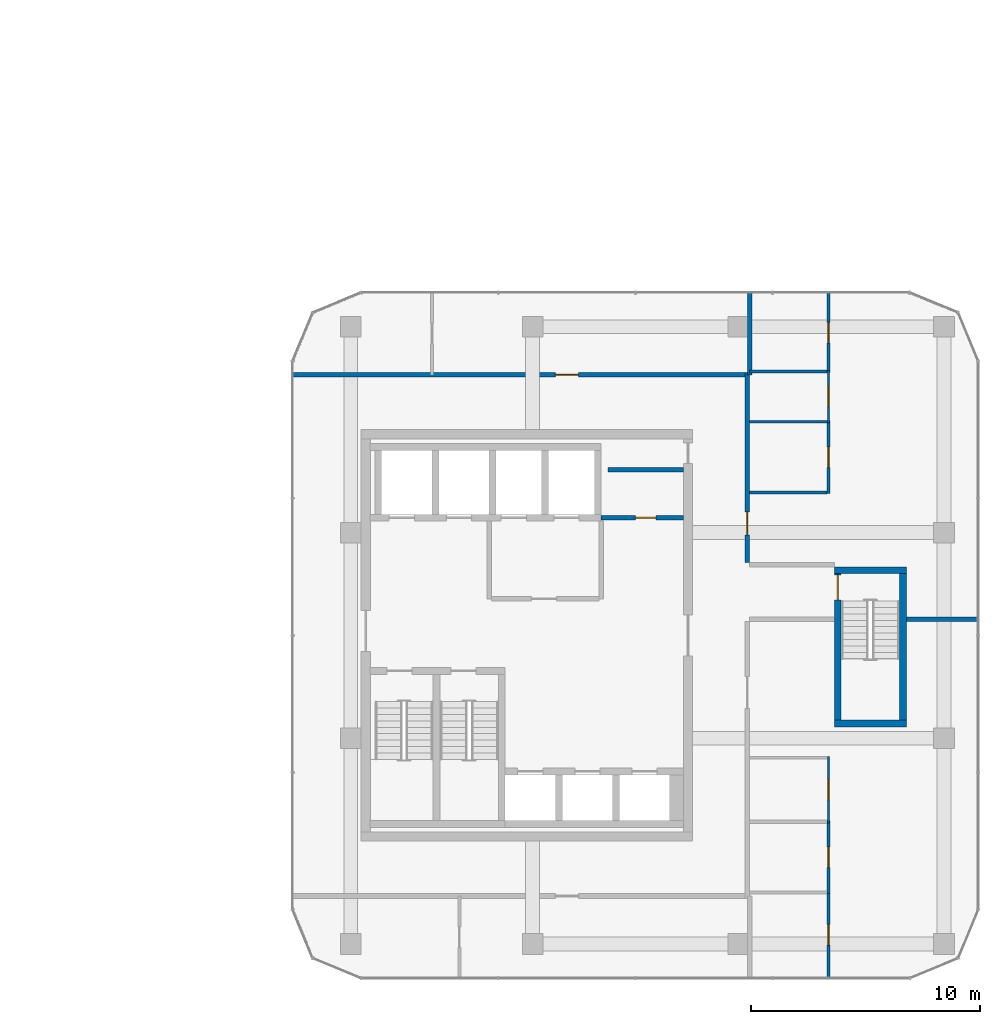
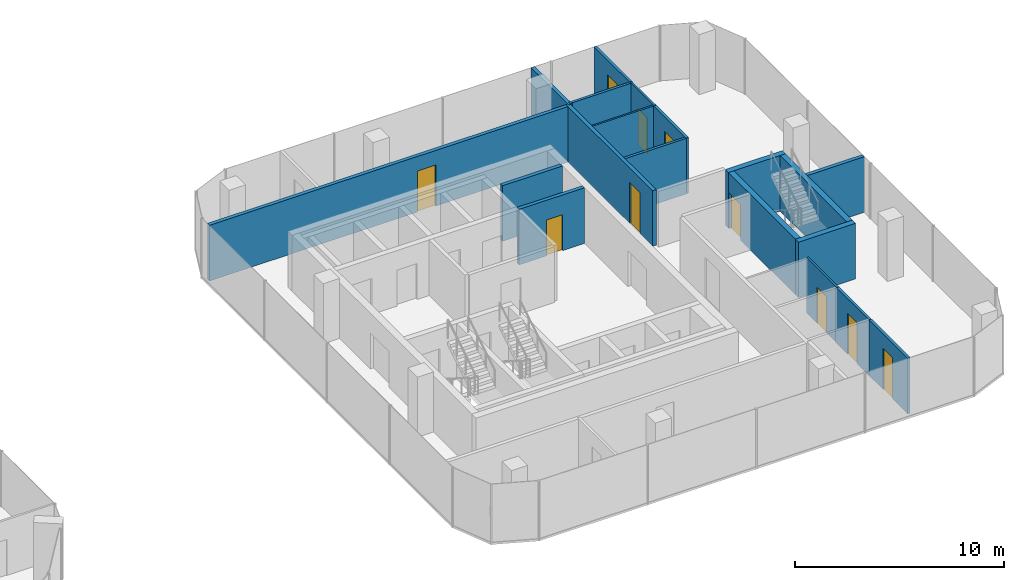
# One storey, part 18 of 22: 19 walls, 10 doors, 10 openings.
"""IFC4 building model written with IfcOpenShell, lengths in metres."""

from ifc_helpers import new_model, si_unit, direction, frame, frame_2d, origin, place, context, subcontext, project, spatial, rectangle, extrude, material, layer, layer_set, type_object, element, fill, save


model = new_model("IFC4")

# Units and contexts
model_context = context("Model", 3, precision=1e-05, world=origin(), true_north=direction((0.0, 1.0)))
body_context = subcontext(model_context, "Body", "Model", "MODEL_VIEW")
ifc_project = project(units=[si_unit("LENGTHUNIT", "METRE"), si_unit("AREAUNIT", "SQUARE_METRE"), si_unit("VOLUMEUNIT", "CUBIC_METRE"), si_unit("PLANEANGLEUNIT", "RADIAN"), si_unit("MASSUNIT", "GRAM", prefix="KILO")], contexts=[model_context])

# Site, building, storey
site_placement = place(None, origin())
site = spatial("IfcSite", under=ifc_project, at=site_placement, CompositionType="ELEMENT")
building_placement = place(site_placement, origin())
building = spatial("IfcBuilding", under=site, at=building_placement, Name="Plateau Cross Towers", CompositionType="ELEMENT")
storey_placement = place(building_placement, frame((0.0, 0.0, 99.300048828125)))
storey = spatial("IfcBuildingStorey", under=building, at=storey_placement, Name="L25", CompositionType="ELEMENT", Elevation=99.300048828125)

# Wall, opening, door
ifc_material_1 = material(Name="Concrete block, plastered both sides", Category="concrete")
ifc_layer_1 = layer(ifc_material_1, 0.199951171875)
ifc_layer_set_1 = layer_set([ifc_layer_1], Name="Concrete block, plastered both sides")
wall_type_1 = type_object("IfcWallType", Name="Core partition 200", PredefinedType="PARTITIONING", material=ifc_layer_set_1)
wall_1_placement = place(storey_placement, frame((85.5, 14.14990234375, 0.0), z_axis=(0.0, 0.0, 1.0), x_axis=(1.0, 0.0, 0.0)))
wall_1 = element("IfcWall", 1, at=wall_1_placement, inside=storey, type_object=wall_type_1, Name="Core partition", PredefinedType="PARTITIONING", context=body_context, shape_type="SweptSolid", body=[
    extrude(rectangle(XDim=3.60009765625, YDim=0.199951171875, at=frame_2d((1.800048828125, 0.0))), origin(), (0.0, 0.0, 1.0), 3.25),
])
opening_1_placement = place(wall_1_placement, frame((1.5, 0.0, 0.0)))
opening_1 = element("IfcOpeningElement", 2, at=opening_1_placement, cuts=wall_1, Name="Opening RD2", PredefinedType="OPENING", context=body_context, shape_type="SweptSolid", body=[
    extrude(rectangle(XDim=0.89990234375, YDim=2.10009765625, at=frame_2d((0.449951171875, 1.050048828125))), frame((0.0, 0.10986328125, 0.0), z_axis=(0.0, -1.0, 0.0), x_axis=(1.0, 0.0, 0.0)), (0.0, 0.0, 1.0), 0.219970703125),
])
ifc_material_2 = material(Name="Steel, fire-resisting leaf", Category="steel")
door_type_1 = type_object("IfcDoorType", Name="Core riser door 900", OperationType="NOTDEFINED", PredefinedType="DOOR", material=ifc_material_2)
door_1_placement = place(opening_1_placement, origin())
door_1 = element("IfcDoor", 3, at=door_1_placement, inside=storey, type_object=door_type_1, Name="Core riser door RD2", OperationType="SINGLE_SWING_LEFT", OverallHeight=2.10009765625, OverallWidth=0.89990234375, PredefinedType="DOOR", context=body_context, shape_type="SweptSolid", body=[
    extrude(rectangle(XDim=0.89990234375, YDim=2.10009765625, at=frame_2d((0.449951171875, 1.050048828125))), frame((0.0, 0.02490234375, 0.0), z_axis=(0.0, -1.0, 0.0), x_axis=(1.0, 0.0, 0.0)), (0.0, 0.0, 1.0), 0.050048828125),
])
fill(opening_1, door_1)

# Wall
wall_2_placement = place(storey_placement, frame((85.800048828125, 16.25, 0.0), z_axis=(0.0, 0.0, 1.0), x_axis=(1.0, 0.0, 0.0)))
element("IfcWall", 4, at=wall_2_placement, inside=storey, type_object=wall_type_1, Name="Core partition", PredefinedType="PARTITIONING", context=body_context, shape_type="SweptSolid", body=[
    extrude(rectangle(XDim=3.300048828125, YDim=0.199951171875, at=frame_2d((1.64990234375, 0.0))), origin(), (0.0, 0.0, 1.0), 3.25),
])

# Wall, opening, door
ifc_material_3 = material(Name="Concrete C60/75", Category="concrete")
ifc_layer_2 = layer(ifc_material_3, 0.300048828125)
ifc_layer_set_2 = layer_set([ifc_layer_2], Name="Concrete C60/75")
wall_type_2 = type_object("IfcWallType", Name="Core shaft wall 300", PredefinedType="SHEAR", material=ifc_layer_set_2)
wall_3_placement = place(storey_placement, frame((95.85009765625, 5.300048828125, 0.0), z_axis=(0.0, 0.0, 1.0), x_axis=(0.0, 1.0, 0.0)))
wall_3 = element("IfcWall", 5, at=wall_3_placement, inside=storey, type_object=wall_type_2, Name="B-sb3-W@L25", PredefinedType="SHEAR", context=body_context, shape_type="SweptSolid", body=[
    extrude(rectangle(XDim=6.39990234375, YDim=0.300048828125, at=frame_2d((3.199951171875, 0.0))), origin(), (0.0, 0.0, 1.0), 3.25),
])
opening_2_placement = place(wall_3_placement, frame((5.25, 0.0, 0.0)))
opening_2 = element("IfcOpeningElement", 6, at=opening_2_placement, cuts=wall_3, Name="Opening SD", PredefinedType="OPENING", context=body_context, shape_type="SweptSolid", body=[
    extrude(rectangle(XDim=1.10009765625, YDim=2.10009765625, at=frame_2d((0.550048828125, 1.050048828125))), frame((0.0, 0.159912109375, 0.0), z_axis=(0.0, -1.0, 0.0), x_axis=(1.0, 0.0, 0.0)), (0.0, 0.0, 1.0), 0.320068359375),
])
door_type_2 = type_object("IfcDoorType", Name="Stair door 1100", OperationType="NOTDEFINED", PredefinedType="DOOR", material=ifc_material_2)
door_2_placement = place(opening_2_placement, origin())
door_2 = element("IfcDoor", 7, at=door_2_placement, inside=storey, type_object=door_type_2, Name="Stair door SD", OperationType="SINGLE_SWING_LEFT", OverallHeight=2.10009765625, OverallWidth=1.10009765625, PredefinedType="DOOR", context=body_context, shape_type="SweptSolid", body=[
    extrude(rectangle(XDim=1.10009765625, YDim=2.10009765625, at=frame_2d((0.550048828125, 1.050048828125))), frame((0.0, 0.02490234375, 0.0), z_axis=(0.0, -1.0, 0.0), x_axis=(1.0, 0.0, 0.0)), (0.0, 0.0, 1.0), 0.050048828125),
])
fill(opening_2, door_2)

# Walls
wall_4_placement = place(storey_placement, frame((98.699951171875, 5.300048828125, 0.0), z_axis=(0.0, 0.0, 1.0), x_axis=(0.0, 1.0, 0.0)))
element("IfcWall", 8, at=wall_4_placement, inside=storey, type_object=wall_type_2, Name="B-sb3-E@L25", PredefinedType="SHEAR", context=body_context, shape_type="SweptSolid", body=[
    extrude(rectangle(XDim=6.39990234375, YDim=0.300048828125, at=frame_2d((3.199951171875, 0.0))), origin(), (0.0, 0.0, 1.0), 3.25),
])
for number, where, z_axis, x_axis, name in (
    (9, (95.699951171875, 5.14990234375, 0.0), (0.0, 0.0, 1.0), (1.0, 0.0, 0.0), "B-sb3-S@L25"),
    (10, (95.699951171875, 11.85009765625, 0.0), (0.0, 0.0, 1.0), (1.0, 0.0, 0.0), "B-sb3-N@L25"),
):
    element("IfcWall", number, at=place(storey_placement, frame(where, z_axis=z_axis, x_axis=x_axis)), inside=storey, type_object=wall_type_2, Name=name, PredefinedType="SHEAR", context=body_context, shape_type="SweptSolid", body=[
        extrude(rectangle(XDim=3.150146484375, YDim=0.300048828125, at=frame_2d((1.5751953125, 0.0))), origin(), (0.0, 0.0, 1.0), 3.25),
    ])

# Wall, opening, door
ifc_material_4 = material(Name="Gypsum board on steel studs, two layers each side", Category="steel")
ifc_layer_3 = layer(ifc_material_4, 0.199951171875)
ifc_layer_set_3 = layer_set([ifc_layer_3], Name="Gypsum board on steel studs, two layers each side")
wall_type_3 = type_object("IfcWallType", Name="Corridor wall 200", PredefinedType="PARTITIONING", material=ifc_layer_set_3)
wall_5_placement = place(storey_placement, frame((72.0, 20.39990234375, 0.0), z_axis=(0.0, 0.0, 1.0), x_axis=(1.0, 0.0, 0.0)))
wall_5 = element("IfcWall", 11, at=wall_5_placement, inside=storey, type_object=wall_type_3, Name="Ring wall", PredefinedType="PARTITIONING", context=body_context, shape_type="SweptSolid", body=[
    extrude(rectangle(XDim=20.0, YDim=0.199951171875, at=frame_2d((10.0, 0.0))), origin(), (0.0, 0.0, 1.0), 3.25),
])
opening_3_placement = place(wall_5_placement, frame((11.5, 0.0, 0.0)))
opening_3 = element("IfcOpeningElement", 12, at=opening_3_placement, cuts=wall_5, Name="Opening D-BO10", PredefinedType="OPENING", context=body_context, shape_type="SweptSolid", body=[
    extrude(rectangle(XDim=1.0, YDim=2.39990234375, at=frame_2d((0.5, 1.199951171875))), frame((0.0, 0.10986328125, 0.0), z_axis=(0.0, -1.0, 0.0), x_axis=(1.0, 0.0, 0.0)), (0.0, 0.0, 1.0), 0.219970703125),
])
ifc_material_5 = material(Name="Fire-resisting glazed leaf in a steel frame", Category="steel")
door_type_3 = type_object("IfcDoorType", Name="Office glazed entrance leaf 1000x2400", OperationType="NOTDEFINED", PredefinedType="DOOR", material=ifc_material_5)
door_3_placement = place(opening_3_placement, origin())
door_3 = element("IfcDoor", 13, at=door_3_placement, inside=storey, type_object=door_type_3, Name="Door D-BO10", OperationType="SINGLE_SWING_LEFT", OverallHeight=2.39990234375, OverallWidth=1.0, PredefinedType="DOOR", context=body_context, shape_type="SweptSolid", body=[
    extrude(rectangle(XDim=1.0, YDim=2.39990234375, at=frame_2d((0.5, 1.199951171875))), frame((0.0, 0.02490234375, 0.0), z_axis=(0.0, -1.0, 0.0), x_axis=(1.0, 0.0, 0.0)), (0.0, 0.0, 1.0), 0.050048828125),
])
fill(opening_3, door_3)

wall_6_placement = place(storey_placement, frame((91.89990234375, 12.199951171875, 0.0), z_axis=(0.0, 0.0, 1.0), x_axis=(0.0, 1.0, 0.0)))
wall_6 = element("IfcWall", 14, at=wall_6_placement, inside=storey, type_object=wall_type_3, Name="Ring wall", PredefinedType="PARTITIONING", context=body_context, shape_type="SweptSolid", body=[
    extrude(rectangle(XDim=8.300048828125, YDim=0.199951171875, at=frame_2d((4.14990234375, 0.0))), origin(), (0.0, 0.0, 1.0), 3.25),
])
opening_4_placement = place(wall_6_placement, frame((1.199951171875, 0.0, 0.0)))
opening_4 = element("IfcOpeningElement", 15, at=opening_4_placement, cuts=wall_6, Name="Opening D-BO10", PredefinedType="OPENING", context=body_context, shape_type="SweptSolid", body=[
    extrude(rectangle(XDim=1.0, YDim=2.39990234375, at=frame_2d((0.5, 1.199951171875))), frame((0.0, 0.10986328125, 0.0), z_axis=(0.0, -1.0, 0.0), x_axis=(1.0, 0.0, 0.0)), (0.0, 0.0, 1.0), 0.219970703125),
])
door_4_placement = place(opening_4_placement, origin())
door_4 = element("IfcDoor", 16, at=door_4_placement, inside=storey, type_object=door_type_3, Name="Door D-BO10", OperationType="SINGLE_SWING_LEFT", OverallHeight=2.39990234375, OverallWidth=1.0, PredefinedType="DOOR", context=body_context, shape_type="SweptSolid", body=[
    extrude(rectangle(XDim=1.0, YDim=2.39990234375, at=frame_2d((0.5, 1.199951171875))), frame((0.0, 0.02490234375, 0.0), z_axis=(0.0, -1.0, 0.0), x_axis=(1.0, 0.0, 0.0)), (0.0, 0.0, 1.0), 0.050048828125),
])
fill(opening_4, door_4)

ifc_material_6 = material(Name="Gypsum board on staggered steel studs, mineral wool, two layers each side", Category="steel")
ifc_layer_4 = layer(ifc_material_6, 0.139892578125)
ifc_layer_set_4 = layer_set([ifc_layer_4], Name="Gypsum board on staggered steel studs, mineral wool, two layers each side")
wall_type_4 = type_object("IfcWallType", Name="Meeting room acoustic partition 140", PredefinedType="PARTITIONING", material=ifc_layer_set_4)
wall_7_placement = place(storey_placement, frame((95.449951171875, -6.0, 0.0), z_axis=(0.0, 0.0, 1.0), x_axis=(0.0, 1.0, 0.0)))
wall_7 = element("IfcWall", 17, at=wall_7_placement, inside=storey, type_object=wall_type_4, Name="Acoustic wall", PredefinedType="PARTITIONING", context=body_context, shape_type="SweptSolid", body=[
    extrude(rectangle(XDim=3.800048828125, YDim=0.139892578125, at=frame_2d((1.89990234375, 0.0))), origin(), (0.0, 0.0, 1.0), 3.25),
])
opening_5_placement = place(wall_7_placement, frame((1.449951171875, 0.0, 0.0)))
opening_5 = element("IfcOpeningElement", 18, at=opening_5_placement, cuts=wall_7, Name="Opening D-BM9", PredefinedType="OPENING", context=body_context, shape_type="SweptSolid", body=[
    extrude(rectangle(XDim=0.89990234375, YDim=2.39990234375, at=frame_2d((0.449951171875, 1.199951171875))), frame((0.0, 0.079833984375, 0.0), z_axis=(0.0, -1.0, 0.0), x_axis=(1.0, 0.0, 0.0)), (0.0, 0.0, 1.0), 0.159912109375),
])
ifc_material_7 = material(Name="Timber leaf, full height", Category="wood")
door_type_4 = type_object("IfcDoorType", Name="Meeting room door 900x2400", OperationType="NOTDEFINED", PredefinedType="DOOR", material=ifc_material_7)
door_5_placement = place(opening_5_placement, origin())
door_5 = element("IfcDoor", 19, at=door_5_placement, inside=storey, type_object=door_type_4, Name="Door D-BM9", OperationType="SINGLE_SWING_LEFT", OverallHeight=2.39990234375, OverallWidth=0.89990234375, PredefinedType="DOOR", context=body_context, shape_type="SweptSolid", body=[
    extrude(rectangle(XDim=0.89990234375, YDim=2.39990234375, at=frame_2d((0.449951171875, 1.199951171875))), frame((0.0, 0.02490234375, 0.0), z_axis=(0.0, -1.0, 0.0), x_axis=(1.0, 0.0, 0.0)), (0.0, 0.0, 1.0), 0.050048828125),
])
fill(opening_5, door_5)

wall_8_placement = place(storey_placement, frame((95.449951171875, -2.300048828125, 0.0), z_axis=(0.0, 0.0, 1.0), x_axis=(0.0, 1.0, 0.0)))
wall_8 = element("IfcWall", 20, at=wall_8_placement, inside=storey, type_object=wall_type_4, Name="Acoustic wall", PredefinedType="PARTITIONING", context=body_context, shape_type="SweptSolid", body=[
    extrude(rectangle(XDim=3.199951171875, YDim=0.139892578125, at=frame_2d((1.60009765625, 0.0))), origin(), (0.0, 0.0, 1.0), 3.25),
])
opening_6_placement = place(wall_8_placement, frame((1.14990234375, 0.0, 0.0)))
opening_6 = element("IfcOpeningElement", 21, at=opening_6_placement, cuts=wall_8, Name="Opening D-BM9", PredefinedType="OPENING", context=body_context, shape_type="SweptSolid", body=[
    extrude(rectangle(XDim=0.89990234375, YDim=2.39990234375, at=frame_2d((0.449951171875, 1.199951171875))), frame((0.0, 0.079833984375, 0.0), z_axis=(0.0, -1.0, 0.0), x_axis=(1.0, 0.0, 0.0)), (0.0, 0.0, 1.0), 0.159912109375),
])
door_6_placement = place(opening_6_placement, origin())
door_6 = element("IfcDoor", 22, at=door_6_placement, inside=storey, type_object=door_type_4, Name="Door D-BM9", OperationType="SINGLE_SWING_LEFT", OverallHeight=2.39990234375, OverallWidth=0.89990234375, PredefinedType="DOOR", context=body_context, shape_type="SweptSolid", body=[
    extrude(rectangle(XDim=0.89990234375, YDim=2.39990234375, at=frame_2d((0.449951171875, 1.199951171875))), frame((0.0, 0.02490234375, 0.0), z_axis=(0.0, -1.0, 0.0), x_axis=(1.0, 0.0, 0.0)), (0.0, 0.0, 1.0), 0.050048828125),
])
fill(opening_6, door_6)

wall_9_placement = place(storey_placement, frame((95.449951171875, 20.5, 0.0), z_axis=(0.0, 0.0, 1.0), x_axis=(0.0, 1.0, 0.0)))
wall_9 = element("IfcWall", 23, at=wall_9_placement, inside=storey, type_object=wall_type_4, Name="Acoustic wall", PredefinedType="PARTITIONING", context=body_context, shape_type="SweptSolid", body=[
    extrude(rectangle(XDim=3.5, YDim=0.139892578125, at=frame_2d((1.75, 0.0))), origin(), (0.0, 0.0, 1.0), 3.25),
])
opening_7_placement = place(wall_9_placement, frame((1.300048828125, 0.0, 0.0)))
opening_7 = element("IfcOpeningElement", 24, at=opening_7_placement, cuts=wall_9, Name="Opening D-BM9", PredefinedType="OPENING", context=body_context, shape_type="SweptSolid", body=[
    extrude(rectangle(XDim=0.89990234375, YDim=2.39990234375, at=frame_2d((0.449951171875, 1.199951171875))), frame((0.0, 0.079833984375, 0.0), z_axis=(0.0, -1.0, 0.0), x_axis=(1.0, 0.0, 0.0)), (0.0, 0.0, 1.0), 0.159912109375),
])
door_7_placement = place(opening_7_placement, origin())
door_7 = element("IfcDoor", 25, at=door_7_placement, inside=storey, type_object=door_type_4, Name="Door D-BM9", OperationType="SINGLE_SWING_LEFT", OverallHeight=2.39990234375, OverallWidth=0.89990234375, PredefinedType="DOOR", context=body_context, shape_type="SweptSolid", body=[
    extrude(rectangle(XDim=0.89990234375, YDim=2.39990234375, at=frame_2d((0.449951171875, 1.199951171875))), frame((0.0, 0.02490234375, 0.0), z_axis=(0.0, -1.0, 0.0), x_axis=(1.0, 0.0, 0.0)), (0.0, 0.0, 1.0), 0.050048828125),
])
fill(opening_7, door_7)

# Wall
wall_10_placement = place(storey_placement, frame((92.0, 20.550048828125, 0.0), z_axis=(0.0, 0.0, 1.0), x_axis=(1.0, 0.0, 0.0)))
element("IfcWall", 26, at=wall_10_placement, inside=storey, type_object=wall_type_4, Name="Acoustic wall", PredefinedType="PARTITIONING", context=body_context, shape_type="SweptSolid", body=[
    extrude(rectangle(XDim=3.3798828125, YDim=0.139892578125, at=frame_2d((1.68994140625, 0.0))), origin(), (0.0, 0.0, 1.0), 3.25),
])

# Wall, opening, door
wall_11_placement = place(storey_placement, frame((95.449951171875, 15.199951171875, 0.0), z_axis=(0.0, 0.0, 1.0), x_axis=(0.0, 1.0, 0.0)))
wall_11 = element("IfcWall", 27, at=wall_11_placement, inside=storey, type_object=wall_type_4, Name="Acoustic wall", PredefinedType="PARTITIONING", context=body_context, shape_type="SweptSolid", body=[
    extrude(rectangle(XDim=3.199951171875, YDim=0.139892578125, at=frame_2d((1.60009765625, 0.0))), origin(), (0.0, 0.0, 1.0), 3.25),
])
opening_8_placement = place(wall_11_placement, frame((1.14990234375, 0.0, 0.0)))
opening_8 = element("IfcOpeningElement", 28, at=opening_8_placement, cuts=wall_11, Name="Opening D-BM9", PredefinedType="OPENING", context=body_context, shape_type="SweptSolid", body=[
    extrude(rectangle(XDim=0.89990234375, YDim=2.39990234375, at=frame_2d((0.449951171875, 1.199951171875))), frame((0.0, 0.079833984375, 0.0), z_axis=(0.0, -1.0, 0.0), x_axis=(1.0, 0.0, 0.0)), (0.0, 0.0, 1.0), 0.159912109375),
])
door_8_placement = place(opening_8_placement, origin())
door_8 = element("IfcDoor", 29, at=door_8_placement, inside=storey, type_object=door_type_4, Name="Door D-BM9", OperationType="SINGLE_SWING_LEFT", OverallHeight=2.39990234375, OverallWidth=0.89990234375, PredefinedType="DOOR", context=body_context, shape_type="SweptSolid", body=[
    extrude(rectangle(XDim=0.89990234375, YDim=2.39990234375, at=frame_2d((0.449951171875, 1.199951171875))), frame((0.0, 0.02490234375, 0.0), z_axis=(0.0, -1.0, 0.0), x_axis=(1.0, 0.0, 0.0)), (0.0, 0.0, 1.0), 0.050048828125),
])
fill(opening_8, door_8)

# Wall
wall_12_placement = place(storey_placement, frame((92.0, 15.25, 0.0), z_axis=(0.0, 0.0, 1.0), x_axis=(1.0, 0.0, 0.0)))
element("IfcWall", 30, at=wall_12_placement, inside=storey, type_object=wall_type_4, Name="Acoustic wall", PredefinedType="PARTITIONING", context=body_context, shape_type="SweptSolid", body=[
    extrude(rectangle(XDim=3.3798828125, YDim=0.139892578125, at=frame_2d((1.68994140625, 0.0))), origin(), (0.0, 0.0, 1.0), 3.25),
])

# Wall, opening, door
ifc_material_8 = material(Name="Gypsum board on steel studs", Category="steel")
ifc_layer_5 = layer(ifc_material_8, 0.10009765625)
ifc_layer_set_5 = layer_set([ifc_layer_5], Name="Gypsum board on steel studs")
wall_type_5 = type_object("IfcWallType", Name="Office partition 100", PredefinedType="PARTITIONING", material=ifc_layer_set_5)
wall_13_placement = place(storey_placement, frame((95.449951171875, 0.800048828125, 0.0), z_axis=(0.0, 0.0, 1.0), x_axis=(0.0, 1.0, 0.0)))
wall_13 = element("IfcWall", 31, at=wall_13_placement, inside=storey, type_object=wall_type_5, Name="Part wall", PredefinedType="PARTITIONING", context=body_context, shape_type="SweptSolid", body=[
    extrude(rectangle(XDim=2.89990234375, YDim=0.10009765625, at=frame_2d((1.449951171875, 0.0))), origin(), (0.0, 0.0, 1.0), 3.25),
])
opening_9_placement = place(wall_13_placement, frame((1.0, 0.0, 0.0)))
opening_9 = element("IfcOpeningElement", 32, at=opening_9_placement, cuts=wall_13, Name="Opening D-BR9", PredefinedType="OPENING", context=body_context, shape_type="SweptSolid", body=[
    extrude(rectangle(XDim=0.89990234375, YDim=2.10009765625, at=frame_2d((0.449951171875, 1.050048828125))), frame((0.0, 0.06005859375, 0.0), z_axis=(0.0, -1.0, 0.0), x_axis=(1.0, 0.0, 0.0)), (0.0, 0.0, 1.0), 0.1201171875),
])
ifc_material_9 = material(Name="Timber leaf", Category="wood")
door_type_5 = type_object("IfcDoorType", Name="Office room door 900", OperationType="NOTDEFINED", PredefinedType="DOOR", material=ifc_material_9)
door_9_placement = place(opening_9_placement, origin())
door_9 = element("IfcDoor", 33, at=door_9_placement, inside=storey, type_object=door_type_5, Name="Door D-BR9", OperationType="SINGLE_SWING_LEFT", OverallHeight=2.10009765625, OverallWidth=0.89990234375, PredefinedType="DOOR", context=body_context, shape_type="SweptSolid", body=[
    extrude(rectangle(XDim=0.89990234375, YDim=2.10009765625, at=frame_2d((0.449951171875, 1.050048828125))), frame((0.0, 0.02490234375, 0.0), z_axis=(0.0, -1.0, 0.0), x_axis=(1.0, 0.0, 0.0)), (0.0, 0.0, 1.0), 0.050048828125),
])
fill(opening_9, door_9)

wall_14_placement = place(storey_placement, frame((95.449951171875, 18.300048828125, 0.0), z_axis=(0.0, 0.0, 1.0), x_axis=(0.0, 1.0, 0.0)))
wall_14 = element("IfcWall", 34, at=wall_14_placement, inside=storey, type_object=wall_type_5, Name="Part wall", PredefinedType="PARTITIONING", context=body_context, shape_type="SweptSolid", body=[
    extrude(rectangle(XDim=2.300048828125, YDim=0.10009765625, at=frame_2d((1.14990234375, 0.0))), origin(), (0.0, 0.0, 1.0), 3.25),
])
opening_10_placement = place(wall_14_placement, frame((0.699951171875, 0.0, 0.0)))
opening_10 = element("IfcOpeningElement", 35, at=opening_10_placement, cuts=wall_14, Name="Opening D-BR9", PredefinedType="OPENING", context=body_context, shape_type="SweptSolid", body=[
    extrude(rectangle(XDim=0.89990234375, YDim=2.10009765625, at=frame_2d((0.449951171875, 1.050048828125))), frame((0.0, 0.06005859375, 0.0), z_axis=(0.0, -1.0, 0.0), x_axis=(1.0, 0.0, 0.0)), (0.0, 0.0, 1.0), 0.1201171875),
])
door_10_placement = place(opening_10_placement, origin())
door_10 = element("IfcDoor", 36, at=door_10_placement, inside=storey, type_object=door_type_5, Name="Door D-BR9", OperationType="SINGLE_SWING_LEFT", OverallHeight=2.10009765625, OverallWidth=0.89990234375, PredefinedType="DOOR", context=body_context, shape_type="SweptSolid", body=[
    extrude(rectangle(XDim=0.89990234375, YDim=2.10009765625, at=frame_2d((0.449951171875, 1.050048828125))), frame((0.0, 0.02490234375, 0.0), z_axis=(0.0, -1.0, 0.0), x_axis=(1.0, 0.0, 0.0)), (0.0, 0.0, 1.0), 0.050048828125),
])
fill(opening_10, door_10)

# Walls
wall_15_placement = place(storey_placement, frame((92.0, 18.35009765625, 0.0), z_axis=(0.0, 0.0, 1.0), x_axis=(1.0, 0.0, 0.0)))
element("IfcWall", 37, at=wall_15_placement, inside=storey, type_object=wall_type_5, Name="Part wall", PredefinedType="PARTITIONING", context=body_context, shape_type="SweptSolid", body=[
    extrude(rectangle(XDim=3.39990234375, YDim=0.10009765625, at=frame_2d((1.699951171875, 0.0))), origin(), (0.0, 0.0, 1.0), 3.25),
])
ifc_layer_6 = layer(ifc_material_4, 0.199951171875)
ifc_layer_set_6 = layer_set([ifc_layer_6], Name="Gypsum board on steel studs, two layers each side")
wall_type_6 = type_object("IfcWallType", Name="Tenancy demising wall 200", PredefinedType="PARTITIONING", material=ifc_layer_set_6)
wall_16_placement = place(storey_placement, frame((98.85009765625, 9.699951171875, 0.0), z_axis=(0.0, 0.0, 1.0), x_axis=(1.0, 0.0, 0.0)))
element("IfcWall", 38, at=wall_16_placement, inside=storey, type_object=wall_type_6, Name="Demising wall", PredefinedType="PARTITIONING", context=body_context, shape_type="SweptSolid", body=[
    extrude(rectangle(XDim=3.14990234375, YDim=0.199951171875, at=frame_2d((1.574951171875, 0.0))), origin(), (0.0, 0.0, 1.0), 3.25),
])
wall_17_placement = place(storey_placement, frame((92.0, 20.39990234375, 0.0), z_axis=(0.0, 0.0, 1.0), x_axis=(0.0, 1.0, 0.0)))
element("IfcWall", 39, at=wall_17_placement, inside=storey, type_object=wall_type_6, Name="Demising wall", PredefinedType="PARTITIONING", context=body_context, shape_type="SweptSolid", body=[
    extrude(rectangle(XDim=3.60009765625, YDim=0.199951171875, at=frame_2d((1.800048828125, 0.0))), origin(), (0.0, 0.0, 1.0), 3.25),
])

save(model, "model.ifc")
